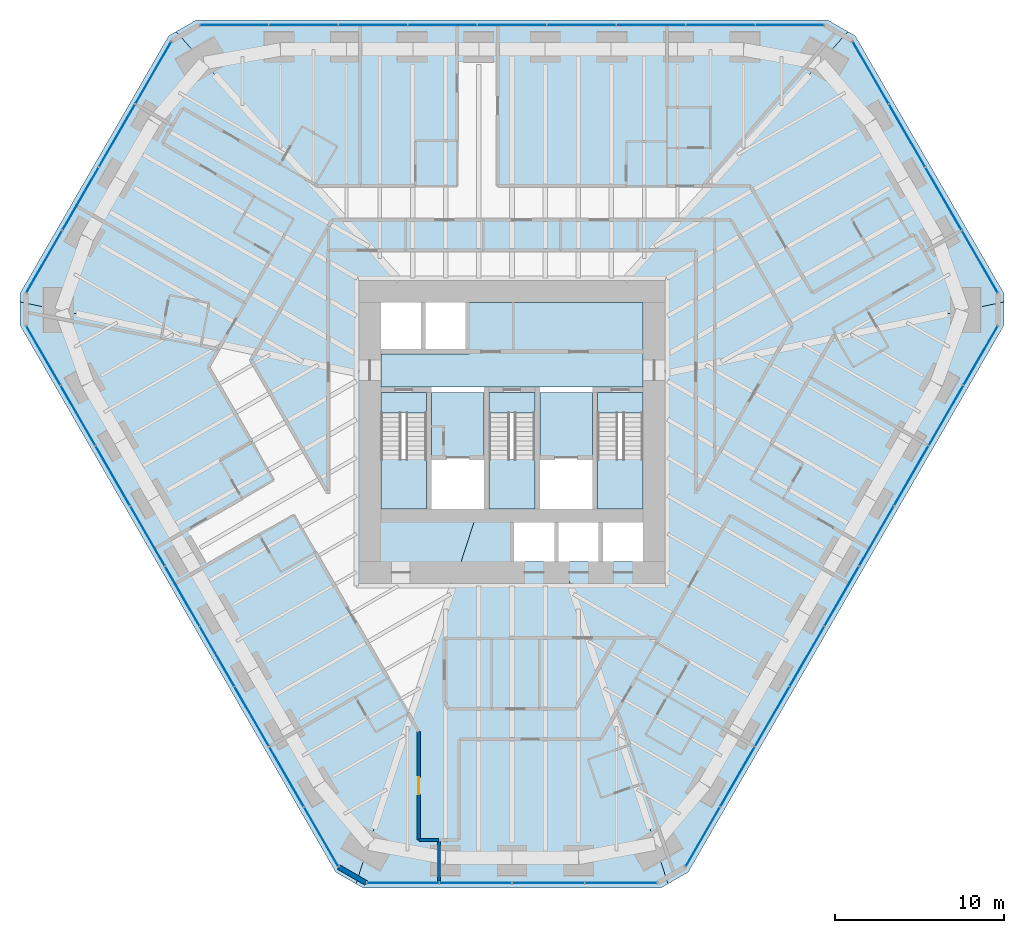
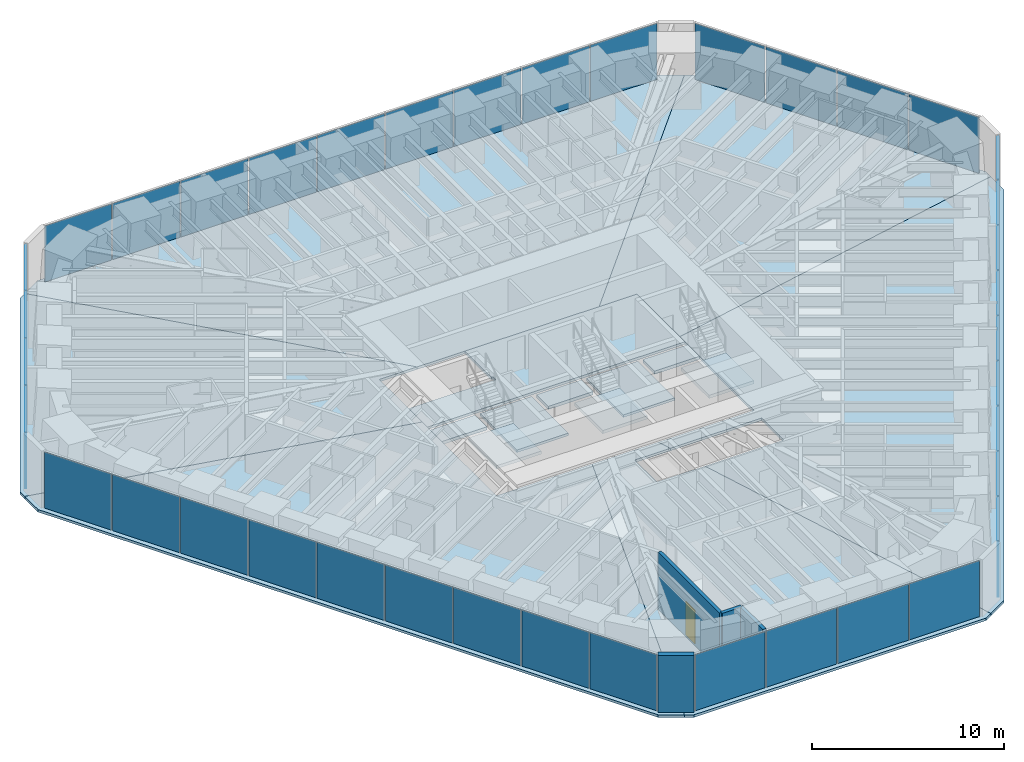
# One storey, part 10 of 17: 39 plates, 15 slabs, 4 walls, 1 door, 1 opening, 9 elements without a shape of their own.
"""IFC4 building model written with IfcOpenShell, lengths in metres."""

from ifc_helpers import new_model, si_unit, direction, frame, frame_2d, origin, origin_2d, place, context, subcontext, project, spatial, polyline, rectangle, outline, extrude, material, layer, layer_set, type_object, element, fill, aggregate, save


model = new_model("IFC4")

# Units and contexts
model_context = context("Model", 3, precision=1e-05, world=origin(), true_north=direction((0.0, 1.0)))
body_context = subcontext(model_context, "Body", "Model", "MODEL_VIEW")
ifc_project = project(units=[si_unit("LENGTHUNIT", "METRE"), si_unit("AREAUNIT", "SQUARE_METRE"), si_unit("VOLUMEUNIT", "CUBIC_METRE"), si_unit("PLANEANGLEUNIT", "RADIAN"), si_unit("MASSUNIT", "GRAM", prefix="KILO")], contexts=[model_context])

# Site, building, storey
site_placement = place(None, origin())
site = spatial("IfcSite", under=ifc_project, at=site_placement, CompositionType="ELEMENT")
building_placement = place(site_placement, origin())
building = spatial("IfcBuilding", under=site, at=building_placement, Name="Sandreach Pilgrim Tower", CompositionType="ELEMENT")
storey_placement = place(building_placement, frame((0.0, 0.0, 150.0)))
storey = spatial("IfcBuildingStorey", under=building, at=storey_placement, Name="L37", CompositionType="ELEMENT", Elevation=150.0)

# Curtain wall, plates
ifc_material_1 = material(Name="Aluminium framed curtain wall", Category="aluminium")
curtain_wall_type = type_object("IfcCurtainWallType", Name="Hotel tower curtain wall", PredefinedType="NOTDEFINED", material=ifc_material_1)
curtain_wall_1_placement = place(storey_placement, origin())
curtain_wall_1 = element("IfcCurtainWall", 1, at=curtain_wall_1_placement, inside=storey, type_object=curtain_wall_type, Name="CW-2 L37 N", PredefinedType="NOTDEFINED")
ifc_material_2 = material(Name="Insulating glass unit 8 heat-strengthened + 16 argon + 8 heat-strengthened", Category="glass")
ifc_layer_1 = layer(ifc_material_2, 0.031982421875)
ifc_layer_set_1 = layer_set([ifc_layer_1], Name="CW-2 panel")
plate_type = type_object("IfcPlateType", Name="CW-2 panel", PredefinedType="CURTAIN_PANEL", material=ifc_layer_set_1)
plate_1_placement = place(storey_placement, frame((-16.41162109375, 22.493896484375, 0.0), z_axis=(0.0, 0.0, 1.0), x_axis=(1.0, 0.0, 0.0)))
plate_1 = element("IfcPlate", 2, at=plate_1_placement, type_object=plate_type, Name="CW-2 panel 1", PredefinedType="CURTAIN_PANEL", context=body_context, shape_type="SweptSolid", body=[
    extrude(rectangle(XDim=4.009521484375, YDim=0.031982421875, at=origin_2d()), origin(), (0.0, 0.0, 1.0), 3.570068359375),
])
plate_2_placement = place(storey_placement, frame((-12.32080078125, 22.493896484375, 0.0), z_axis=(0.0, 0.0, 1.0), x_axis=(1.0, 0.0, 0.0)))
plate_2 = element("IfcPlate", 3, at=plate_2_placement, type_object=plate_type, Name="CW-2 panel 2", PredefinedType="CURTAIN_PANEL", context=body_context, shape_type="SweptSolid", body=[
    extrude(rectangle(XDim=4.0419921875, YDim=0.031982421875, at=origin_2d()), origin(), (0.0, 0.0, 1.0), 3.570068359375),
])
plate_3_placement = place(storey_placement, frame((-8.2138671875, 22.493896484375, 0.0), z_axis=(0.0, 0.0, 1.0), x_axis=(1.0, 0.0, 0.0)))
plate_3 = element("IfcPlate", 4, at=plate_3_placement, type_object=plate_type, Name="CW-2 panel 3", PredefinedType="CURTAIN_PANEL", context=body_context, shape_type="SweptSolid", body=[
    extrude(rectangle(XDim=4.0419921875, YDim=0.031982421875, at=origin_2d()), origin(), (0.0, 0.0, 1.0), 3.570068359375),
])
plate_4_placement = place(storey_placement, frame((-4.10693359375, 22.493896484375, 0.0), z_axis=(0.0, 0.0, 1.0), x_axis=(1.0, 0.0, 0.0)))
plate_4 = element("IfcPlate", 5, at=plate_4_placement, type_object=plate_type, Name="CW-2 panel 4", PredefinedType="CURTAIN_PANEL", context=body_context, shape_type="SweptSolid", body=[
    extrude(rectangle(XDim=4.0419921875, YDim=0.031982421875, at=origin_2d()), origin(), (0.0, 0.0, 1.0), 3.570068359375),
])
plate_5_placement = place(storey_placement, frame((0.0, 22.493896484375, 0.0), z_axis=(0.0, 0.0, 1.0), x_axis=(1.0, 0.0, 0.0)))
plate_5 = element("IfcPlate", 6, at=plate_5_placement, type_object=plate_type, Name="CW-2 panel 5", PredefinedType="CURTAIN_PANEL", context=body_context, shape_type="SweptSolid", body=[
    extrude(rectangle(XDim=4.0419921875, YDim=0.031982421875, at=origin_2d()), origin(), (0.0, 0.0, 1.0), 3.570068359375),
])
plate_6_placement = place(storey_placement, frame((4.10693359375, 22.493896484375, 0.0), z_axis=(0.0, 0.0, 1.0), x_axis=(1.0, 0.0, 0.0)))
plate_6 = element("IfcPlate", 7, at=plate_6_placement, type_object=plate_type, Name="CW-2 panel 6", PredefinedType="CURTAIN_PANEL", context=body_context, shape_type="SweptSolid", body=[
    extrude(rectangle(XDim=4.0419921875, YDim=0.031982421875, at=origin_2d()), origin(), (0.0, 0.0, 1.0), 3.570068359375),
])
plate_7_placement = place(storey_placement, frame((8.2138671875, 22.493896484375, 0.0), z_axis=(0.0, 0.0, 1.0), x_axis=(1.0, 0.0, 0.0)))
plate_7 = element("IfcPlate", 8, at=plate_7_placement, type_object=plate_type, Name="CW-2 panel 7", PredefinedType="CURTAIN_PANEL", context=body_context, shape_type="SweptSolid", body=[
    extrude(rectangle(XDim=4.0419921875, YDim=0.031982421875, at=origin_2d()), origin(), (0.0, 0.0, 1.0), 3.570068359375),
])
plate_8_placement = place(storey_placement, frame((12.32080078125, 22.493896484375, 0.0), z_axis=(0.0, 0.0, 1.0), x_axis=(1.0, 0.0, 0.0)))
plate_8 = element("IfcPlate", 9, at=plate_8_placement, type_object=plate_type, Name="CW-2 panel 8", PredefinedType="CURTAIN_PANEL", context=body_context, shape_type="SweptSolid", body=[
    extrude(rectangle(XDim=4.0419921875, YDim=0.031982421875, at=origin_2d()), origin(), (0.0, 0.0, 1.0), 3.570068359375),
])
plate_9_placement = place(storey_placement, frame((16.41162109375, 22.493896484375, 0.0), z_axis=(0.0, 0.0, 1.0), x_axis=(1.0, 0.0, 0.0)))
plate_9 = element("IfcPlate", 10, at=plate_9_placement, type_object=plate_type, Name="CW-2 panel 9", PredefinedType="CURTAIN_PANEL", context=body_context, shape_type="SweptSolid", body=[
    extrude(rectangle(XDim=4.009521484375, YDim=0.031982421875, at=origin_2d()), origin(), (0.0, 0.0, 1.0), 3.570068359375),
])
aggregate(curtain_wall_1, [plate_1, plate_2, plate_3, plate_4, plate_5, plate_6, plate_7, plate_8, plate_9])

curtain_wall_2_placement = place(storey_placement, origin())
curtain_wall_2 = element("IfcCurtainWall", 11, at=curtain_wall_2_placement, inside=storey, type_object=curtain_wall_type, Name="CW-2 L37 NE", PredefinedType="NOTDEFINED")
plate_10_placement = place(storey_placement, frame((21.194091796875, 19.67529296875, 0.0), z_axis=(0.0, 0.0, 1.0), x_axis=(0.5, -0.866025403784, 0.0)))
plate_10 = element("IfcPlate", 12, at=plate_10_placement, type_object=plate_type, Name="CW-2 panel 1", PredefinedType="CURTAIN_PANEL", context=body_context, shape_type="SweptSolid", body=[
    extrude(rectangle(XDim=4.208251953125, YDim=0.031982421875, at=origin_2d()), origin(), (0.0, 0.0, 1.0), 3.570068359375),
])
plate_11_placement = place(storey_placement, frame((23.3388671875, 15.96044921875, 0.0), z_axis=(0.0, 0.0, 1.0), x_axis=(0.5, -0.866025403784, 0.0)))
plate_11 = element("IfcPlate", 13, at=plate_11_placement, type_object=plate_type, Name="CW-2 panel 2", PredefinedType="CURTAIN_PANEL", context=body_context, shape_type="SweptSolid", body=[
    extrude(rectangle(XDim=4.24072265625, YDim=0.031982421875, at=origin_2d()), origin(), (0.0, 0.0, 1.0), 3.570068359375),
])
plate_12_placement = place(storey_placement, frame((25.49169921875, 12.231689453125, 0.0), z_axis=(0.0, 0.0, 1.0), x_axis=(0.5, -0.866025403784, 0.0)))
plate_12 = element("IfcPlate", 14, at=plate_12_placement, type_object=plate_type, Name="CW-2 panel 3", PredefinedType="CURTAIN_PANEL", context=body_context, shape_type="SweptSolid", body=[
    extrude(rectangle(XDim=4.24072265625, YDim=0.031982421875, at=origin_2d()), origin(), (0.0, 0.0, 1.0), 3.570068359375),
])
plate_13_placement = place(storey_placement, frame((27.63623046875, 8.516845703125, 0.0), z_axis=(0.0, 0.0, 1.0), x_axis=(0.5, -0.866025403784, 0.0)))
plate_13 = element("IfcPlate", 15, at=plate_13_placement, type_object=plate_type, Name="CW-2 panel 4", PredefinedType="CURTAIN_PANEL", context=body_context, shape_type="SweptSolid", body=[
    extrude(rectangle(XDim=4.208251953125, YDim=0.031982421875, at=origin_2d()), origin(), (0.0, 0.0, 1.0), 3.570068359375),
])
aggregate(curtain_wall_2, [plate_10, plate_11, plate_12, plate_13])

curtain_wall_3_placement = place(storey_placement, origin())
curtain_wall_3 = element("IfcCurtainWall", 16, at=curtain_wall_3_placement, inside=storey, type_object=curtain_wall_type, Name="CW-2 L37 SE", PredefinedType="NOTDEFINED")
plate_14_placement = place(storey_placement, frame((27.68603515625, 2.966064453125, 0.0), z_axis=(0.0, 0.0, 1.0), x_axis=(-0.5, -0.866025403784, 0.0)))
plate_14 = element("IfcPlate", 17, at=plate_14_placement, type_object=plate_type, Name="CW-2 panel 1", PredefinedType="CURTAIN_PANEL", context=body_context, shape_type="SweptSolid", body=[
    extrude(rectangle(XDim=4.009521484375, YDim=0.031982421875, at=origin_2d()), origin(), (0.0, 0.0, 1.0), 3.570068359375),
])
plate_15_placement = place(storey_placement, frame((25.640625, -0.57666015625, 0.0), z_axis=(0.0, 0.0, 1.0), x_axis=(-0.5, -0.866025403784, 0.0)))
plate_15 = element("IfcPlate", 18, at=plate_15_placement, type_object=plate_type, Name="CW-2 panel 2", PredefinedType="CURTAIN_PANEL", context=body_context, shape_type="SweptSolid", body=[
    extrude(rectangle(XDim=4.0419921875, YDim=0.031982421875, at=origin_2d()), origin(), (0.0, 0.0, 1.0), 3.570068359375),
])
plate_16_placement = place(storey_placement, frame((23.587158203125, -4.13330078125, 0.0), z_axis=(0.0, 0.0, 1.0), x_axis=(-0.5, -0.866025403784, 0.0)))
plate_16 = element("IfcPlate", 19, at=plate_16_placement, type_object=plate_type, Name="CW-2 panel 3", PredefinedType="CURTAIN_PANEL", context=body_context, shape_type="SweptSolid", body=[
    extrude(rectangle(XDim=4.0419921875, YDim=0.031982421875, at=origin_2d()), origin(), (0.0, 0.0, 1.0), 3.570068359375),
])
plate_17_placement = place(storey_placement, frame((21.53369140625, -7.690185546875, 0.0), z_axis=(0.0, 0.0, 1.0), x_axis=(-0.5, -0.866025403784, 0.0)))
plate_17 = element("IfcPlate", 20, at=plate_17_placement, type_object=plate_type, Name="CW-2 panel 4", PredefinedType="CURTAIN_PANEL", context=body_context, shape_type="SweptSolid", body=[
    extrude(rectangle(XDim=4.0419921875, YDim=0.031982421875, at=origin_2d()), origin(), (0.0, 0.0, 1.0), 3.570068359375),
])
plate_18_placement = place(storey_placement, frame((19.480224609375, -11.246826171875, 0.0), z_axis=(0.0, 0.0, 1.0), x_axis=(-0.5, -0.866025403784, 0.0)))
plate_18 = element("IfcPlate", 21, at=plate_18_placement, type_object=plate_type, Name="CW-2 panel 5", PredefinedType="CURTAIN_PANEL", context=body_context, shape_type="SweptSolid", body=[
    extrude(rectangle(XDim=4.0419921875, YDim=0.031982421875, at=origin_2d()), origin(), (0.0, 0.0, 1.0), 3.570068359375),
])
plate_19_placement = place(storey_placement, frame((17.4267578125, -14.8037109375, 0.0), z_axis=(0.0, 0.0, 1.0), x_axis=(-0.5, -0.866025403784, 0.0)))
plate_19 = element("IfcPlate", 22, at=plate_19_placement, type_object=plate_type, Name="CW-2 panel 6", PredefinedType="CURTAIN_PANEL", context=body_context, shape_type="SweptSolid", body=[
    extrude(rectangle(XDim=4.0419921875, YDim=0.031982421875, at=origin_2d()), origin(), (0.0, 0.0, 1.0), 3.570068359375),
])
plate_20_placement = place(storey_placement, frame((15.373291015625, -18.3603515625, 0.0), z_axis=(0.0, 0.0, 1.0), x_axis=(-0.5, -0.866025403784, 0.0)))
plate_20 = element("IfcPlate", 23, at=plate_20_placement, type_object=plate_type, Name="CW-2 panel 7", PredefinedType="CURTAIN_PANEL", context=body_context, shape_type="SweptSolid", body=[
    extrude(rectangle(XDim=4.0419921875, YDim=0.031982421875, at=origin_2d()), origin(), (0.0, 0.0, 1.0), 3.570068359375),
])
plate_21_placement = place(storey_placement, frame((13.31982421875, -21.917236328125, 0.0), z_axis=(0.0, 0.0, 1.0), x_axis=(-0.5, -0.866025403784, 0.0)))
plate_21 = element("IfcPlate", 24, at=plate_21_placement, type_object=plate_type, Name="CW-2 panel 8", PredefinedType="CURTAIN_PANEL", context=body_context, shape_type="SweptSolid", body=[
    extrude(rectangle(XDim=4.0419921875, YDim=0.031982421875, at=origin_2d()), origin(), (0.0, 0.0, 1.0), 3.570068359375),
])
plate_22_placement = place(storey_placement, frame((11.2744140625, -25.459716796875, 0.0), z_axis=(0.0, 0.0, 1.0), x_axis=(-0.5, -0.866025403784, 0.0)))
plate_22 = element("IfcPlate", 25, at=plate_22_placement, type_object=plate_type, Name="CW-2 panel 9", PredefinedType="CURTAIN_PANEL", context=body_context, shape_type="SweptSolid", body=[
    extrude(rectangle(XDim=4.009521484375, YDim=0.031982421875, at=origin_2d()), origin(), (0.0, 0.0, 1.0), 3.570068359375),
])
aggregate(curtain_wall_3, [plate_14, plate_15, plate_16, plate_17, plate_18, plate_19, plate_20, plate_21, plate_22])

curtain_wall_4_placement = place(storey_placement, origin())
curtain_wall_4 = element("IfcCurtainWall", 26, at=curtain_wall_4_placement, inside=storey, type_object=curtain_wall_type, Name="CW-2 L37 S", PredefinedType="NOTDEFINED")
plate_23_placement = place(storey_placement, frame((6.4423828125, -28.192138671875, 0.0), z_axis=(0.0, 0.0, 1.0), x_axis=(-1.0, 0.0, 0.0)))
plate_23 = element("IfcPlate", 27, at=plate_23_placement, type_object=plate_type, Name="CW-2 panel 1", PredefinedType="CURTAIN_PANEL", context=body_context, shape_type="SweptSolid", body=[
    extrude(rectangle(XDim=4.208251953125, YDim=0.031982421875, at=origin_2d()), origin(), (0.0, 0.0, 1.0), 3.570068359375),
])
plate_24_placement = place(storey_placement, frame((2.15283203125, -28.192138671875, 0.0), z_axis=(0.0, 0.0, 1.0), x_axis=(-1.0, 0.0, 0.0)))
plate_24 = element("IfcPlate", 28, at=plate_24_placement, type_object=plate_type, Name="CW-2 panel 2", PredefinedType="CURTAIN_PANEL", context=body_context, shape_type="SweptSolid", body=[
    extrude(rectangle(XDim=4.24072265625, YDim=0.031982421875, at=origin_2d()), origin(), (0.0, 0.0, 1.0), 3.570068359375),
])
plate_25_placement = place(storey_placement, frame((-2.15283203125, -28.192138671875, 0.0), z_axis=(0.0, 0.0, 1.0), x_axis=(-1.0, 0.0, 0.0)))
plate_25 = element("IfcPlate", 29, at=plate_25_placement, type_object=plate_type, Name="CW-2 panel 3", PredefinedType="CURTAIN_PANEL", context=body_context, shape_type="SweptSolid", body=[
    extrude(rectangle(XDim=4.24072265625, YDim=0.031982421875, at=origin_2d()), origin(), (0.0, 0.0, 1.0), 3.570068359375),
])
plate_26_placement = place(storey_placement, frame((-6.4423828125, -28.192138671875, 0.0), z_axis=(0.0, 0.0, 1.0), x_axis=(-1.0, 0.0, 0.0)))
plate_26 = element("IfcPlate", 30, at=plate_26_placement, type_object=plate_type, Name="CW-2 panel 4", PredefinedType="CURTAIN_PANEL", context=body_context, shape_type="SweptSolid", body=[
    extrude(rectangle(XDim=4.208251953125, YDim=0.031982421875, at=origin_2d()), origin(), (0.0, 0.0, 1.0), 3.570068359375),
])
aggregate(curtain_wall_4, [plate_23, plate_24, plate_25, plate_26])

curtain_wall_5_placement = place(storey_placement, origin())
curtain_wall_5 = element("IfcCurtainWall", 31, at=curtain_wall_5_placement, inside=storey, type_object=curtain_wall_type, Name="CW-2 L37 SW", PredefinedType="NOTDEFINED")
plate_27_placement = place(storey_placement, frame((-11.2744140625, -25.459716796875, 0.0), z_axis=(0.0, 0.0, 1.0), x_axis=(-0.5, 0.866025403784, 0.0)))
plate_27 = element("IfcPlate", 32, at=plate_27_placement, type_object=plate_type, Name="CW-2 panel 1", PredefinedType="CURTAIN_PANEL", context=body_context, shape_type="SweptSolid", body=[
    extrude(rectangle(XDim=4.009521484375, YDim=0.031982421875, at=origin_2d()), origin(), (0.0, 0.0, 1.0), 3.570068359375),
])
plate_28_placement = place(storey_placement, frame((-13.31982421875, -21.917236328125, 0.0), z_axis=(0.0, 0.0, 1.0), x_axis=(-0.5, 0.866025403784, 0.0)))
plate_28 = element("IfcPlate", 33, at=plate_28_placement, type_object=plate_type, Name="CW-2 panel 2", PredefinedType="CURTAIN_PANEL", context=body_context, shape_type="SweptSolid", body=[
    extrude(rectangle(XDim=4.0419921875, YDim=0.031982421875, at=origin_2d()), origin(), (0.0, 0.0, 1.0), 3.570068359375),
])
plate_29_placement = place(storey_placement, frame((-15.373291015625, -18.3603515625, 0.0), z_axis=(0.0, 0.0, 1.0), x_axis=(-0.5, 0.866025403784, 0.0)))
plate_29 = element("IfcPlate", 34, at=plate_29_placement, type_object=plate_type, Name="CW-2 panel 3", PredefinedType="CURTAIN_PANEL", context=body_context, shape_type="SweptSolid", body=[
    extrude(rectangle(XDim=4.0419921875, YDim=0.031982421875, at=origin_2d()), origin(), (0.0, 0.0, 1.0), 3.570068359375),
])
plate_30_placement = place(storey_placement, frame((-17.4267578125, -14.8037109375, 0.0), z_axis=(0.0, 0.0, 1.0), x_axis=(-0.5, 0.866025403784, 0.0)))
plate_30 = element("IfcPlate", 35, at=plate_30_placement, type_object=plate_type, Name="CW-2 panel 4", PredefinedType="CURTAIN_PANEL", context=body_context, shape_type="SweptSolid", body=[
    extrude(rectangle(XDim=4.0419921875, YDim=0.031982421875, at=origin_2d()), origin(), (0.0, 0.0, 1.0), 3.570068359375),
])
plate_31_placement = place(storey_placement, frame((-19.480224609375, -11.246826171875, 0.0), z_axis=(0.0, 0.0, 1.0), x_axis=(-0.5, 0.866025403784, 0.0)))
plate_31 = element("IfcPlate", 36, at=plate_31_placement, type_object=plate_type, Name="CW-2 panel 5", PredefinedType="CURTAIN_PANEL", context=body_context, shape_type="SweptSolid", body=[
    extrude(rectangle(XDim=4.0419921875, YDim=0.031982421875, at=origin_2d()), origin(), (0.0, 0.0, 1.0), 3.570068359375),
])
plate_32_placement = place(storey_placement, frame((-21.53369140625, -7.690185546875, 0.0), z_axis=(0.0, 0.0, 1.0), x_axis=(-0.5, 0.866025403784, 0.0)))
plate_32 = element("IfcPlate", 37, at=plate_32_placement, type_object=plate_type, Name="CW-2 panel 6", PredefinedType="CURTAIN_PANEL", context=body_context, shape_type="SweptSolid", body=[
    extrude(rectangle(XDim=4.0419921875, YDim=0.031982421875, at=origin_2d()), origin(), (0.0, 0.0, 1.0), 3.570068359375),
])
plate_33_placement = place(storey_placement, frame((-23.587158203125, -4.13330078125, 0.0), z_axis=(0.0, 0.0, 1.0), x_axis=(-0.5, 0.866025403784, 0.0)))
plate_33 = element("IfcPlate", 38, at=plate_33_placement, type_object=plate_type, Name="CW-2 panel 7", PredefinedType="CURTAIN_PANEL", context=body_context, shape_type="SweptSolid", body=[
    extrude(rectangle(XDim=4.0419921875, YDim=0.031982421875, at=origin_2d()), origin(), (0.0, 0.0, 1.0), 3.570068359375),
])
plate_34_placement = place(storey_placement, frame((-25.640625, -0.57666015625, 0.0), z_axis=(0.0, 0.0, 1.0), x_axis=(-0.5, 0.866025403784, 0.0)))
plate_34 = element("IfcPlate", 39, at=plate_34_placement, type_object=plate_type, Name="CW-2 panel 8", PredefinedType="CURTAIN_PANEL", context=body_context, shape_type="SweptSolid", body=[
    extrude(rectangle(XDim=4.0419921875, YDim=0.031982421875, at=origin_2d()), origin(), (0.0, 0.0, 1.0), 3.570068359375),
])
plate_35_placement = place(storey_placement, frame((-27.68603515625, 2.966064453125, 0.0), z_axis=(0.0, 0.0, 1.0), x_axis=(-0.5, 0.866025403784, 0.0)))
plate_35 = element("IfcPlate", 40, at=plate_35_placement, type_object=plate_type, Name="CW-2 panel 9", PredefinedType="CURTAIN_PANEL", context=body_context, shape_type="SweptSolid", body=[
    extrude(rectangle(XDim=4.009521484375, YDim=0.031982421875, at=origin_2d()), origin(), (0.0, 0.0, 1.0), 3.570068359375),
])
aggregate(curtain_wall_5, [plate_27, plate_28, plate_29, plate_30, plate_31, plate_32, plate_33, plate_34, plate_35])

curtain_wall_6_placement = place(storey_placement, origin())
curtain_wall_6 = element("IfcCurtainWall", 41, at=curtain_wall_6_placement, inside=storey, type_object=curtain_wall_type, Name="CW-2 L37 NW", PredefinedType="NOTDEFINED")
plate_36_placement = place(storey_placement, frame((-27.63623046875, 8.516845703125, 0.0), z_axis=(0.0, 0.0, 1.0), x_axis=(0.5, 0.866025403784, 0.0)))
plate_36 = element("IfcPlate", 42, at=plate_36_placement, type_object=plate_type, Name="CW-2 panel 1", PredefinedType="CURTAIN_PANEL", context=body_context, shape_type="SweptSolid", body=[
    extrude(rectangle(XDim=4.208251953125, YDim=0.031982421875, at=origin_2d()), origin(), (0.0, 0.0, 1.0), 3.570068359375),
])
plate_37_placement = place(storey_placement, frame((-25.49169921875, 12.231689453125, 0.0), z_axis=(0.0, 0.0, 1.0), x_axis=(0.5, 0.866025403784, 0.0)))
plate_37 = element("IfcPlate", 43, at=plate_37_placement, type_object=plate_type, Name="CW-2 panel 2", PredefinedType="CURTAIN_PANEL", context=body_context, shape_type="SweptSolid", body=[
    extrude(rectangle(XDim=4.24072265625, YDim=0.031982421875, at=origin_2d()), origin(), (0.0, 0.0, 1.0), 3.570068359375),
])
plate_38_placement = place(storey_placement, frame((-23.3388671875, 15.96044921875, 0.0), z_axis=(0.0, 0.0, 1.0), x_axis=(0.5, 0.866025403784, 0.0)))
plate_38 = element("IfcPlate", 44, at=plate_38_placement, type_object=plate_type, Name="CW-2 panel 3", PredefinedType="CURTAIN_PANEL", context=body_context, shape_type="SweptSolid", body=[
    extrude(rectangle(XDim=4.24072265625, YDim=0.031982421875, at=origin_2d()), origin(), (0.0, 0.0, 1.0), 3.570068359375),
])
plate_39_placement = place(storey_placement, frame((-21.194091796875, 19.67529296875, 0.0), z_axis=(0.0, 0.0, 1.0), x_axis=(0.5, 0.866025403784, 0.0)))
plate_39 = element("IfcPlate", 45, at=plate_39_placement, type_object=plate_type, Name="CW-2 panel 4", PredefinedType="CURTAIN_PANEL", context=body_context, shape_type="SweptSolid", body=[
    extrude(rectangle(XDim=4.208251953125, YDim=0.031982421875, at=origin_2d()), origin(), (0.0, 0.0, 1.0), 3.570068359375),
])
aggregate(curtain_wall_6, [plate_36, plate_37, plate_38, plate_39])

# Slabs
ifc_material_3 = material(Name="Concrete 8000 psi", Category="concrete")
ifc_layer_2 = layer(ifc_material_3, 0.159912109375)
ifc_layer_set_2 = layer_set([ifc_layer_2], Name="Composite floor slab 160")
slab_type_1 = type_object("IfcSlabType", Name="Composite floor slab 160", PredefinedType="FLOOR", material=ifc_layer_set_2)
slab_1_placement = place(storey_placement, frame((0.0, 0.0, -0.159912109375)))
element("IfcSlab", 46, at=slab_1_placement, inside=storey, type_object=slab_type_1, Name="Floor slab L37 N sector", PredefinedType="FLOOR", context=body_context, shape_type="SweptSolid", body=[
    extrude(outline(polyline([(-18.654541015625, 22.793701171875), (18.654541015625, 22.793701171875), (19.848388671875, 22.1044921875), (5.477294921875, 6.10009765625), (-5.477294921875, 6.10009765625), (-19.848388671875, 22.1044921875), (-18.654541015625, 22.793701171875)])), origin(), (0.0, 0.0, 1.0), 0.159912109375),
])
slab_2_placement = place(storey_placement, frame((0.0, 0.0, -0.159912109375)))
element("IfcSlab", 47, at=slab_2_placement, inside=storey, type_object=slab_type_1, Name="Floor slab L37 NE sector", PredefinedType="FLOOR", context=body_context, shape_type="SweptSolid", body=[
    extrude(outline(polyline([(20.28271484375, 21.853759765625), (29.0673828125, 6.638427734375), (29.0673828125, 6.13720703125), (7.75, 1.63623046875), (7.75, 6.10009765625), (5.477294921875, 6.10009765625), (19.848388671875, 22.1044921875), (20.28271484375, 21.853759765625)])), origin(), (0.0, 0.0, 1.0), 0.159912109375),
])
slab_3_placement = place(storey_placement, frame((0.0, 0.0, -0.159912109375)))
element("IfcSlab", 48, at=slab_3_placement, inside=storey, type_object=slab_type_1, Name="Floor slab L37 SE sector", PredefinedType="FLOOR", context=body_context, shape_type="SweptSolid", body=[
    extrude(outline(polyline([(29.0673828125, 4.75830078125), (10.41259765625, -27.55224609375), (9.21875, -28.241455078125), (3.003173828125, -9.199951171875), (7.75, -9.199951171875), (7.75, -6.89990234375), (2.252197265625, -6.89990234375), (1.9912109375, -6.10009765625), (7.75, -6.10009765625), (7.75, 1.63623046875), (29.0673828125, 6.13720703125), (29.0673828125, 4.75830078125)])), origin(), (0.0, 0.0, 1.0), 0.159912109375),
])
slab_4_placement = place(storey_placement, frame((0.0, 0.0, -0.159912109375)))
element("IfcSlab", 49, at=slab_4_placement, inside=storey, type_object=slab_type_1, Name="Floor slab L37 S sector", PredefinedType="FLOOR", context=body_context, shape_type="SweptSolid", body=[
    extrude(outline(polyline([(8.78466796875, -28.4921875), (-8.78466796875, -28.4921875), (-9.21875, -28.241455078125), (-1.9912109375, -6.10009765625), (1.9912109375, -6.10009765625), (2.252197265625, -6.89990234375), (0.125, -6.89990234375), (0.125, -9.199951171875), (3.003173828125, -9.199951171875), (9.21875, -28.241455078125), (8.78466796875, -28.4921875)])), origin(), (0.0, 0.0, 1.0), 0.159912109375),
])
slab_5_placement = place(storey_placement, frame((0.0, 0.0, -0.159912109375)))
element("IfcSlab", 50, at=slab_5_placement, inside=storey, type_object=slab_type_1, Name="Floor slab L37 SW sector", PredefinedType="FLOOR", context=body_context, shape_type="SweptSolid", body=[
    extrude(outline(polyline([(-10.41259765625, -27.55224609375), (-29.0673828125, 4.75830078125), (-29.0673828125, 6.13720703125), (-7.75, 1.63623046875), (-7.75, -6.10009765625), (-1.9912109375, -6.10009765625), (-9.21875, -28.241455078125), (-10.41259765625, -27.55224609375)])), origin(), (0.0, 0.0, 1.0), 0.159912109375),
])
slab_6_placement = place(storey_placement, frame((0.0, 0.0, -0.159912109375)))
element("IfcSlab", 51, at=slab_6_placement, inside=storey, type_object=slab_type_1, Name="Floor slab L37 NW sector", PredefinedType="FLOOR", context=body_context, shape_type="SweptSolid", body=[
    extrude(outline(polyline([(-29.0673828125, 6.638427734375), (-20.28271484375, 21.853759765625), (-19.848388671875, 22.1044921875), (-5.477294921875, 6.10009765625), (-7.75, 6.10009765625), (-7.75, 1.63623046875), (-29.0673828125, 6.13720703125), (-29.0673828125, 6.638427734375)])), origin(), (0.0, 0.0, 1.0), 0.159912109375),
])
slab_7_placement = place(storey_placement, frame((0.0, 0.0, -0.159912109375)))
element("IfcSlab", 52, at=slab_7_placement, inside=storey, type_object=slab_type_1, Name="Core floor slab and stores L37", PredefinedType="FLOOR", context=body_context, shape_type="SweptSolid", body=[
    extrude(outline(polyline([(-7.75, 3.050048828125), (-5.375, 3.050048828125), (-5.125, 3.050048828125), (-2.5, 3.050048828125), (-2.5, 3.35009765625), (-2.60009765625, 3.35009765625), (-2.60009765625, 6.10009765625), (7.75, 6.10009765625), (7.75, 1.10009765625), (5.050048828125, 1.10009765625), (4.75, 1.10009765625), (1.64990234375, 1.10009765625), (1.35009765625, 1.10009765625), (-1.35009765625, 1.10009765625), (-1.64990234375, 1.10009765625), (-4.75, 1.10009765625), (-5.050048828125, 1.10009765625), (-7.75, 1.10009765625), (-7.75, 3.050048828125)])), origin(), (0.0, 0.0, 1.0), 0.159912109375),
])
slab_8_placement = place(storey_placement, frame((0.0, 0.0, -0.159912109375)))
element("IfcSlab", 53, at=slab_8_placement, inside=storey, type_object=slab_type_1, Name="Core floor slab and stores L37 2", PredefinedType="FLOOR", context=body_context, shape_type="SweptSolid", body=[
    extrude(outline(polyline([(-1.64990234375, -3.050048828125), (-4.75, -3.050048828125), (-4.75, 0.800048828125), (-1.64990234375, 0.800048828125), (-1.64990234375, -3.050048828125)])), origin(), (0.0, 0.0, 1.0), 0.159912109375),
])
slab_9_placement = place(storey_placement, frame((0.0, 0.0, -0.159912109375)))
element("IfcSlab", 54, at=slab_9_placement, inside=storey, type_object=slab_type_1, Name="Core floor slab and stores L37 3", PredefinedType="FLOOR", context=body_context, shape_type="SweptSolid", body=[
    extrude(outline(polyline([(4.75, -3.050048828125), (1.64990234375, -3.050048828125), (1.64990234375, 0.800048828125), (4.75, 0.800048828125), (4.75, -3.050048828125)])), origin(), (0.0, 0.0, 1.0), 0.159912109375),
])

# Stair, slabs
ifc_material_4 = material(Name="Concrete 8000 psi", Category="concrete")
stair_type = type_object("IfcStairType", Name="Core exit stair", PredefinedType="HALF_TURN_STAIR", material=ifc_material_4)
stair_1_placement = place(storey_placement, origin())
stair_1 = element("IfcStair", 55, at=stair_1_placement, inside=storey, type_object=stair_type, Name="Exit stair ST1 L37", PredefinedType="HALF_TURN_STAIR")
ifc_material_5 = material(Name="Concrete 8000 psi", Category="concrete")
ifc_layer_3 = layer(ifc_material_5, 0.199951171875)
ifc_layer_set_3 = layer_set([ifc_layer_3], Name="Core stair landing 200")
slab_type_2 = type_object("IfcSlabType", Name="Core stair landing 200", PredefinedType="LANDING", material=ifc_layer_set_3)
slab_10_placement = place(storey_placement, frame((0.0, 0.0, -0.199951171875)))
slab_10 = element("IfcSlab", 56, at=slab_10_placement, type_object=slab_type_2, Name="ST1 landing 1", PredefinedType="LANDING", context=body_context, shape_type="SweptSolid", body=[
    extrude(outline(polyline([(-7.75, -0.425048828125), (-5.050048828125, -0.425048828125), (-5.050048828125, 0.800048828125), (-7.75, 0.800048828125), (-7.75, -0.425048828125)])), origin(), (0.0, 0.0, 1.0), 0.199951171875),
])
slab_11_placement = place(storey_placement, frame((0.0, 0.0, 1.699951171875)))
slab_11 = element("IfcSlab", 57, at=slab_11_placement, type_object=slab_type_2, Name="ST1 landing 2", PredefinedType="LANDING", context=body_context, shape_type="SweptSolid", body=[
    extrude(outline(polyline([(-7.75, -6.10009765625), (-5.050048828125, -6.10009765625), (-5.050048828125, -3.175048828125), (-7.75, -3.175048828125), (-7.75, -6.10009765625)])), origin(), (0.0, 0.0, 1.0), 0.199951171875),
])
aggregate(stair_1, [slab_10, slab_11])

stair_2_placement = place(storey_placement, origin())
stair_2 = element("IfcStair", 58, at=stair_2_placement, inside=storey, type_object=stair_type, Name="Exit stair ST3 L37", PredefinedType="HALF_TURN_STAIR")
slab_12_placement = place(storey_placement, frame((0.0, 0.0, -0.199951171875)))
slab_12 = element("IfcSlab", 59, at=slab_12_placement, type_object=slab_type_2, Name="ST3 landing 1", PredefinedType="LANDING", context=body_context, shape_type="SweptSolid", body=[
    extrude(outline(polyline([(-1.35009765625, -0.425048828125), (1.35009765625, -0.425048828125), (1.35009765625, 0.800048828125), (-1.35009765625, 0.800048828125), (-1.35009765625, -0.425048828125)])), origin(), (0.0, 0.0, 1.0), 0.199951171875),
])
slab_13_placement = place(storey_placement, frame((0.0, 0.0, 1.699951171875)))
slab_13 = element("IfcSlab", 60, at=slab_13_placement, type_object=slab_type_2, Name="ST3 landing 2", PredefinedType="LANDING", context=body_context, shape_type="SweptSolid", body=[
    extrude(outline(polyline([(-1.35009765625, -6.10009765625), (1.35009765625, -6.10009765625), (1.35009765625, -3.175048828125), (-1.35009765625, -3.175048828125), (-1.35009765625, -6.10009765625)])), origin(), (0.0, 0.0, 1.0), 0.199951171875),
])
aggregate(stair_2, [slab_12, slab_13])

stair_3_placement = place(storey_placement, origin())
stair_3 = element("IfcStair", 61, at=stair_3_placement, inside=storey, type_object=stair_type, Name="Exit stair ST2 L37", PredefinedType="HALF_TURN_STAIR")
slab_14_placement = place(storey_placement, frame((0.0, 0.0, -0.199951171875)))
slab_14 = element("IfcSlab", 62, at=slab_14_placement, type_object=slab_type_2, Name="ST2 landing 1", PredefinedType="LANDING", context=body_context, shape_type="SweptSolid", body=[
    extrude(outline(polyline([(5.050048828125, -0.425048828125), (7.75, -0.425048828125), (7.75, 0.800048828125), (5.050048828125, 0.800048828125), (5.050048828125, -0.425048828125)])), origin(), (0.0, 0.0, 1.0), 0.199951171875),
])
slab_15_placement = place(storey_placement, frame((0.0, 0.0, 1.699951171875)))
slab_15 = element("IfcSlab", 63, at=slab_15_placement, type_object=slab_type_2, Name="ST2 landing 2", PredefinedType="LANDING", context=body_context, shape_type="SweptSolid", body=[
    extrude(outline(polyline([(5.050048828125, -6.10009765625), (7.75, -6.10009765625), (7.75, -3.175048828125), (5.050048828125, -3.175048828125), (5.050048828125, -6.10009765625)])), origin(), (0.0, 0.0, 1.0), 0.199951171875),
])
aggregate(stair_3, [slab_14, slab_15])

# Wall, opening, door
ifc_material_6 = material(Name="Gypsum board on steel studs, two layers each side", Category="steel")
ifc_layer_4 = layer(ifc_material_6, 0.199951171875)
ifc_layer_set_4 = layer_set([ifc_layer_4], Name="Corridor wall 200")
wall_type_1 = type_object("IfcWallType", Name="Corridor wall 200", PredefinedType="PARTITIONING", material=ifc_layer_set_4)
wall_1_placement = place(storey_placement, frame((-5.510009765625, -19.25, 0.0), z_axis=(0.0, 0.0, 1.0), x_axis=(0.0, -1.0, 0.0)))
wall_1 = element("IfcWall", 64, at=wall_1_placement, inside=storey, type_object=wall_type_1, Name="Corridor wall L37-056", PredefinedType="PARTITIONING", context=body_context, shape_type="SweptSolid", body=[
    extrude(rectangle(XDim=6.39990234375, YDim=0.199951171875, at=frame_2d((3.199951171875, 0.0))), origin(), (0.0, 0.0, 1.0), 3.639892578125),
])
opening_placement = place(wall_1_placement, frame((2.699951171875, 0.0, 0.0)))
opening = element("IfcOpeningElement", 65, at=opening_placement, cuts=wall_1, Name="Opening D10-11", PredefinedType="OPENING", context=body_context, shape_type="SweptSolid", body=[
    extrude(rectangle(XDim=1.0, YDim=2.1298828125, at=frame_2d((0.5, 1.06494140625))), frame((0.0, 0.10009765625, 0.0), z_axis=(0.0, -1.0, 0.0), x_axis=(1.0, 0.0, 0.0)), (0.0, 0.0, 1.0), 0.199951171875),
])
ifc_material_7 = material(Name="Steel door and frame", Category="steel")
door_type = type_object("IfcDoorType", Name="Guest room entry door", OperationType="SINGLE_SWING_LEFT", PredefinedType="DOOR", material=ifc_material_7)
door_placement = place(opening_placement, origin())
door = element("IfcDoor", 66, at=door_placement, inside=storey, type_object=door_type, Name="Door 3711", OperationType="SINGLE_SWING_LEFT", OverallHeight=2.1298828125, OverallWidth=1.0, PredefinedType="DOOR", context=body_context, shape_type="SweptSolid", body=[
    extrude(rectangle(XDim=1.0, YDim=2.1298828125, at=frame_2d((0.5, 1.06494140625))), frame((0.0, 0.02490234375, 0.0), z_axis=(0.0, -1.0, 0.0), x_axis=(1.0, 0.0, 0.0)), (0.0, 0.0, 1.0), 0.050048828125),
])
fill(opening, door)

# Walls
wall_2_placement = place(storey_placement, frame((-5.5, -25.64990234375, 0.0), z_axis=(0.0, 0.0, 1.0), x_axis=(1.0, 0.0, 0.0)))
element("IfcWall", 67, at=wall_2_placement, inside=storey, type_object=wall_type_1, Name="Corridor wall L37-057", PredefinedType="PARTITIONING", context=body_context, shape_type="SweptSolid", body=[
    extrude(rectangle(XDim=1.18994140625, YDim=0.199951171875, at=frame_2d((0.594970703125, 0.0))), origin(), (0.0, 0.0, 1.0), 3.639892578125),
])
ifc_material_8 = material(Name="Double steel stud acoustic wall, gypsum board", Category="steel")
ifc_layer_5 = layer(ifc_material_8, 0.199951171875)
ifc_layer_set_5 = layer_set([ifc_layer_5], Name="Party wall 200")
wall_type_2 = type_object("IfcWallType", Name="Party wall 200", PredefinedType="PARTITIONING", material=ifc_layer_set_5)
wall_3_placement = place(storey_placement, frame((-4.31005859375, -28.070068359375, 0.0), z_axis=(0.0, 0.0, 1.0), x_axis=(0.0, 1.0, 0.0)))
element("IfcWall", 68, at=wall_3_placement, inside=storey, type_object=wall_type_2, Name="Party wall L37-058", PredefinedType="PARTITIONING", context=body_context, shape_type="SweptSolid", body=[
    extrude(rectangle(XDim=2.41015625, YDim=0.199951171875, at=frame_2d((1.205078125, 0.0))), origin(), (0.0, 0.0, 1.0), 3.639892578125),
])
ifc_material_9 = material(Name="Terracotta rainscreen on concrete", Category="masonry")
ifc_layer_6 = layer(ifc_material_9, 0.300048828125)
ifc_layer_set_6 = layer_set([ifc_layer_6], Name="Terracotta chamfer pier")
wall_type_3 = type_object("IfcWallType", Name="Terracotta chamfer pier", PredefinedType="SOLIDWALL", material=ifc_layer_set_6)
wall_4_placement = place(storey_placement, frame((-8.611328125, -28.192138671875, 0.0), z_axis=(0.0, 0.0, 1.0), x_axis=(-0.866045024864, 0.499966013754, 0.0)))
element("IfcWall", 69, at=wall_4_placement, inside=storey, type_object=wall_type_3, Name="Chamfer pier L37 S", PredefinedType="SOLIDWALL", context=body_context, shape_type="SweptSolid", body=[
    extrude(rectangle(XDim=1.880126953125, YDim=0.300048828125, at=frame_2d((0.93994140625, 0.0))), origin(), (0.0, 0.0, 1.0), 3.639892578125),
])

save(model, "model.ifc")
